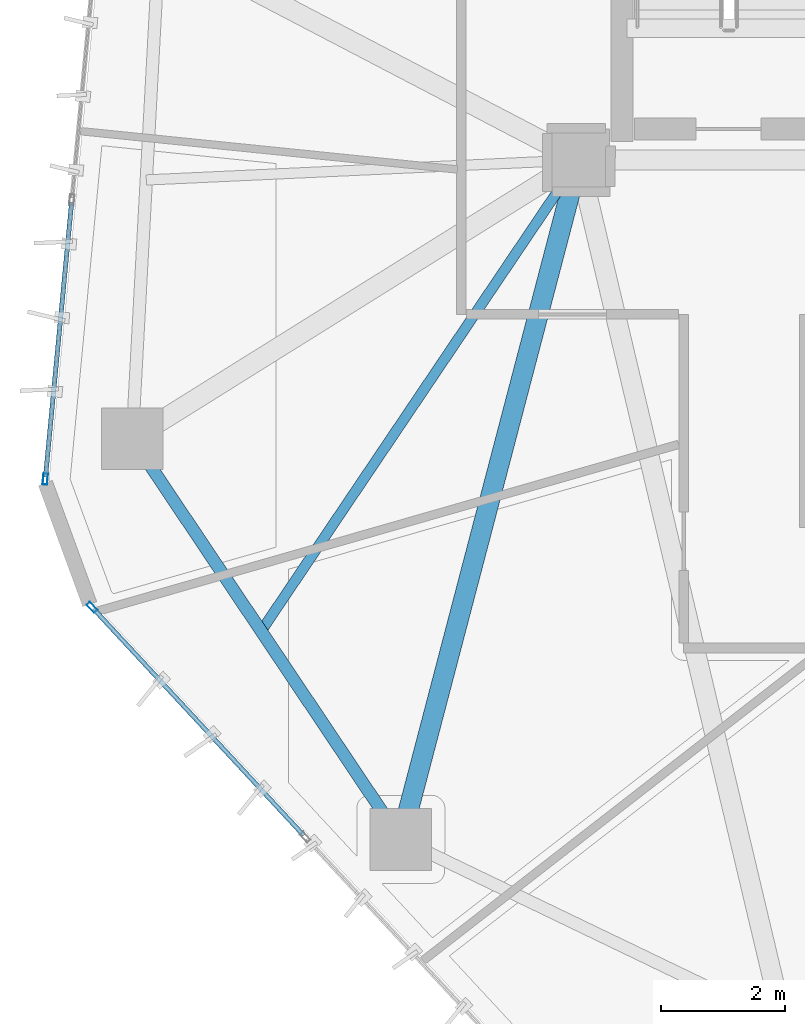
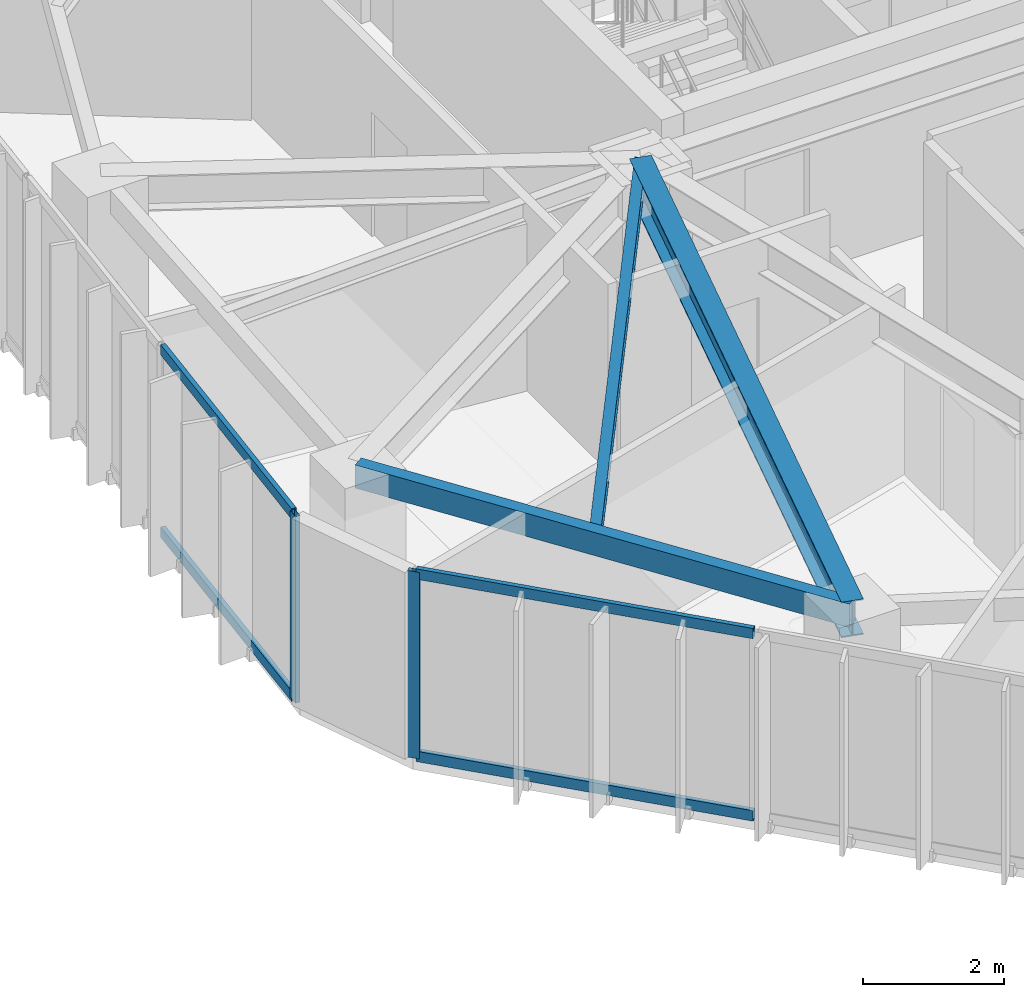
# One storey, part 3 of 21: 6 members, 3 beams, 2 elements without a shape of their own.
"""IFC4 building model written with IfcOpenShell, lengths in metres."""

from ifc_helpers import new_model, si_unit, direction, frame, origin, origin_2d, place, context, subcontext, project, spatial, hollow_rectangle, i_section, extrude, source, transform, mapped, material, layer, layer_set, material_profile, profile_set, type_object, type_shapes, element, aggregate, save


model = new_model("IFC4")

# Units and contexts
model_context = context("Model", 3, precision=1e-05, world=origin(), true_north=direction((0.0, 1.0)))
body_context = subcontext(model_context, "Body", "Model", "MODEL_VIEW")
ifc_project = project(units=[si_unit("LENGTHUNIT", "METRE"), si_unit("AREAUNIT", "SQUARE_METRE"), si_unit("VOLUMEUNIT", "CUBIC_METRE"), si_unit("PLANEANGLEUNIT", "RADIAN"), si_unit("MASSUNIT", "GRAM", prefix="KILO")], contexts=[model_context])

# Site, building, storey
site_placement = place(None, origin())
site = spatial("IfcSite", under=ifc_project, at=site_placement, CompositionType="ELEMENT")
building_placement = place(site_placement, origin())
building = spatial("IfcBuilding", under=site, at=building_placement, Name="Talar Marvaseh", CompositionType="ELEMENT")
storey_placement = place(building_placement, frame((0.0, 0.0, 225.699951171875)))
storey = spatial("IfcBuildingStorey", under=building, at=storey_placement, Name="L59", CompositionType="ELEMENT", Elevation=225.699951171875)

# Beams
ifc_material_1 = material(Name="Steel S355", Category="steel")
ifc_material_profile_1 = material_profile(ifc_material_1, hollow_rectangle(XDim=0.199951171875, YDim=0.39990234375, WallThickness=0.013916015625, at=origin_2d()), Name="RHS400x200x14")
ifc_profile_set_1 = profile_set([ifc_material_profile_1], Name="Steel S355")
beam_type_1 = type_object("IfcBeamType", Name="Zone 3 Perimeter Spandrel Beam RHS400x200x14", PredefinedType="SPANDREL", material=ifc_profile_set_1)
beam_1_placement = place(storey_placement, frame((15.819091796875, 14.5009765625, 3.030029296875), z_axis=(-0.556805579613, 0.830642851358, 0.0), x_axis=(-0.830642851358, -0.556805579613, 0.0)))
element("IfcBeam", 1, at=beam_1_placement, inside=storey, type_object=beam_type_1, Name="L59 Zone 3 Perimeter Spandrel Beam RHS400x200x14", PredefinedType="SPANDREL", context=body_context, shape_type="SweptSolid", body=[
    extrude(hollow_rectangle(XDim=0.199951171875, YDim=0.39990234375, WallThickness=0.013916015625, at=origin_2d()), origin(), (0.0, 0.0, 1.0), 7.807373046875),
])
ifc_material_profile_2 = material_profile(ifc_material_1, i_section(OverallWidth=0.324951171875, OverallDepth=0.615966796875, WebThickness=0.013916015625, FlangeThickness=0.021484375, at=origin_2d()), Name="W610x174")
ifc_profile_set_2 = profile_set([ifc_material_profile_2], Name="Steel S355")
beam_type_2 = type_object("IfcBeamType", Name="Zone 3 Radial Floor Girder W610x174", PredefinedType="BEAM", material=ifc_profile_set_2)
beam_2_placement = place(storey_placement, frame((15.819091796875, 14.5009765625, 2.922119140625), z_axis=(0.253372787776, 0.967368714821, 0.0), x_axis=(-0.967368714821, 0.253372787776, 0.0)))
element("IfcBeam", 2, at=beam_2_placement, inside=storey, type_object=beam_type_2, Name="L59 Zone 3 Radial Floor Girder W610x174", PredefinedType="BEAM", context=body_context, shape_type="SweptSolid", body=[
    extrude(i_section(OverallWidth=0.324951171875, OverallDepth=0.615966796875, WebThickness=0.013916015625, FlangeThickness=0.021484375, at=origin_2d()), origin(), (0.0, 0.0, 1.0), 11.3701171875),
])
ifc_material_profile_3 = material_profile(ifc_material_1, i_section(OverallWidth=0.166015625, OverallDepth=0.31298828125, WebThickness=0.006591796875, FlangeThickness=0.01123046875, at=origin_2d()), Name="W310x45")
ifc_profile_set_3 = profile_set([ifc_material_profile_3], Name="Steel S355")
beam_type_3 = type_object("IfcBeamType", Name="Zone 3 Secondary Floor Joist W310x45", PredefinedType="JOIST", material=ifc_profile_set_3)
beam_3_placement = place(storey_placement, frame((13.55859375, 17.873291015625, 3.073486328125), z_axis=(0.558974483718, 0.829184856683, 0.0), x_axis=(-0.829184856683, 0.558974483718, 0.0)))
element("IfcBeam", 3, at=beam_3_placement, inside=storey, type_object=beam_type_3, Name="L59 Zone 3 Secondary Floor Joist W310x45", PredefinedType="JOIST", context=body_context, shape_type="SweptSolid", body=[
    extrude(i_section(OverallWidth=0.166015625, OverallDepth=0.31298828125, WebThickness=0.006591796875, FlangeThickness=0.01123046875, at=origin_2d()), origin(), (0.0, 0.0, 1.0), 9.19775390625),
])

# Curtain wall, member
ifc_material_2 = material(Name="Architectural Aluminium", Category="aluminium")
ifc_layer = layer(ifc_material_2, 0.18994140625)
ifc_layer_set = layer_set([ifc_layer], Name="Architectural Aluminium")
curtain_wall_type = type_object("IfcCurtainWallType", Name="Unitised Solar Atelier Curtain Wall Z3", PredefinedType="NOTDEFINED", material=ifc_layer_set)
curtain_wall_1_placement = place(storey_placement, origin())
curtain_wall_1 = element("IfcCurtainWall", 4, at=curtain_wall_1_placement, inside=storey, type_object=curtain_wall_type, Name="L59 Unitised Solar Atelier Curtain Wall Z3", PredefinedType="NOTDEFINED")
ifc_material_profile_4 = material_profile(ifc_material_2, hollow_rectangle(XDim=0.074951171875, YDim=0.179931640625, WallThickness=0.0048828125, at=origin_2d()), Name="RHS180x75x5")
ifc_profile_set_4 = profile_set([ifc_material_profile_4], Name="Architectural Aluminium")
member_type_1 = type_object("IfcMemberType", Name="Unitised Curtain Wall Standard Mullion RHS180x75x5", PredefinedType="MULLION", material=ifc_profile_set_4)
shared_shape_1 = source(origin(), body_context, "Body", "SweptSolid", [
    extrude(hollow_rectangle(XDim=0.074951171875, YDim=0.179931640625, WallThickness=0.0048828125, at=origin_2d()), origin(), (0.0, 0.0, 1.0), 3.22998046875),
])
type_shapes(member_type_1, [shared_shape_1])
member_1_placement = place(storey_placement, frame((10.82080078125, 18.260986328125, 0.0), z_axis=(0.0, 0.0, 1.0), x_axis=(-0.733183227185, -0.680031142944, 0.0)))
member_1 = element("IfcMember", 5, at=member_1_placement, type_object=member_type_1, Name="CW-Z3 mullion 4", PredefinedType="MULLION", context=body_context, shape_type="MappedRepresentation", body=[
    mapped(shared_shape_1, transform((0.0, 0.0, 0.0), x_axis=(1.0, 0.0, 0.0), y_axis=(0.0, 1.0, 0.0), z_axis=(0.0, 0.0, 1.0), scale=1.0)),
])

# Curtain wall, members
curtain_wall_2_placement = place(storey_placement, origin())
curtain_wall_2 = element("IfcCurtainWall", 6, at=curtain_wall_2_placement, inside=storey, type_object=curtain_wall_type, Name="L59 Unitised Solar Atelier Curtain Wall Z3", PredefinedType="NOTDEFINED")
member_2_placement = place(storey_placement, frame((10.064453125, 20.333251953125, 0.0), z_axis=(0.0, 0.0, 1.0), x_axis=(-0.995508620386, 0.094670939239, 0.0)))
member_2 = element("IfcMember", 7, at=member_2_placement, type_object=member_type_1, Name="CW-Z3 mullion 1", PredefinedType="MULLION", context=body_context, shape_type="MappedRepresentation", body=[
    mapped(shared_shape_1, transform((0.0, 0.0, 0.0), x_axis=(1.0, 0.0, 0.0), y_axis=(0.0, 1.0, 0.0), z_axis=(0.0, 0.0, 1.0), scale=1.0)),
])
ifc_material_profile_5 = material_profile(ifc_material_2, hollow_rectangle(XDim=0.074951171875, YDim=0.179931640625, WallThickness=0.0048828125, at=origin_2d()), Name="RHS180x75x5")
ifc_profile_set_5 = profile_set([ifc_material_profile_5], Name="Architectural Aluminium")
member_type_2 = type_object("IfcMemberType", Name="Unitised Curtain Wall Transom RHS180x75x5", PredefinedType="USERDEFINED", material=ifc_profile_set_5)
shared_shape_2 = source(origin(), body_context, "Body", "SweptSolid", [
    extrude(hollow_rectangle(XDim=0.074951171875, YDim=0.179931640625, WallThickness=0.0048828125, at=origin_2d()), origin(), (0.0, 0.0, 1.0), 4.46484375),
])
member_3_placement = place(storey_placement, frame((10.068115234375, 20.37060546875, 0.03759765625), z_axis=(0.094651685761, 0.995510451167, 0.0), x_axis=(-0.995510451167, 0.094651685761, 0.0)))
member_3 = element("IfcMember", 8, at=member_3_placement, type_object=member_type_2, Name="CW-Z3 transom 1.1", ObjectType="TRANSOM", PredefinedType="USERDEFINED", context=body_context, shape_type="MappedRepresentation", body=[
    mapped(shared_shape_2, transform((0.0, 0.0, 0.0), x_axis=(1.0, 0.0, 0.0), y_axis=(0.0, 1.0, 0.0), z_axis=(0.0, 0.0, 1.0), scale=1.0)),
])
member_4_placement = place(storey_placement, frame((10.068115234375, 20.37060546875, 3.192626953125), z_axis=(0.094651685761, 0.995510451167, 0.0), x_axis=(-0.995510451167, 0.094651685761, 0.0)))
member_4 = element("IfcMember", 9, at=member_4_placement, type_object=member_type_2, Name="CW-Z3 transom 1.2", ObjectType="TRANSOM", PredefinedType="USERDEFINED", context=body_context, shape_type="MappedRepresentation", body=[
    mapped(shared_shape_2, transform((0.0, 0.0, 0.0), x_axis=(1.0, 0.0, 0.0), y_axis=(0.0, 1.0, 0.0), z_axis=(0.0, 0.0, 1.0), scale=1.0)),
])
aggregate(curtain_wall_2, [member_2, member_3, member_4])

# Member
shared_shape_3 = source(origin(), body_context, "Body", "SweptSolid", [
    extrude(hollow_rectangle(XDim=0.074951171875, YDim=0.179931640625, WallThickness=0.0048828125, at=origin_2d()), origin(), (0.0, 0.0, 1.0), 5.00048828125),
])
type_shapes(member_type_2, [shared_shape_2, shared_shape_3])
member_5_placement = place(storey_placement, frame((14.246826171875, 14.567138671875, 0.03759765625), z_axis=(-0.680022133308, 0.733191583565, 0.0), x_axis=(-0.733191583565, -0.680022133308, 0.0)))
member_5 = element("IfcMember", 10, at=member_5_placement, type_object=member_type_2, Name="CW-Z3 transom 3.1", ObjectType="TRANSOM", PredefinedType="USERDEFINED", context=body_context, shape_type="MappedRepresentation", body=[
    mapped(shared_shape_3, transform((0.0, 0.0, 0.0), x_axis=(1.0, 0.0, 0.0), y_axis=(0.0, 1.0, 0.0), z_axis=(0.0, 0.0, 1.0), scale=1.0)),
])

member_6_placement = place(storey_placement, frame((14.246826171875, 14.567138671875, 3.192626953125), z_axis=(-0.680022133308, 0.733191583565, 0.0), x_axis=(-0.733191583565, -0.680022133308, 0.0)))
member_6 = element("IfcMember", 11, at=member_6_placement, type_object=member_type_2, Name="CW-Z3 transom 3.2", ObjectType="TRANSOM", PredefinedType="USERDEFINED", context=body_context, shape_type="MappedRepresentation", body=[
    mapped(shared_shape_3, transform((0.0, 0.0, 0.0), x_axis=(1.0, 0.0, 0.0), y_axis=(0.0, 1.0, 0.0), z_axis=(0.0, 0.0, 1.0), scale=1.0)),
])

aggregate(curtain_wall_1, [member_1, member_5, member_6])

save(model, "model.ifc")
